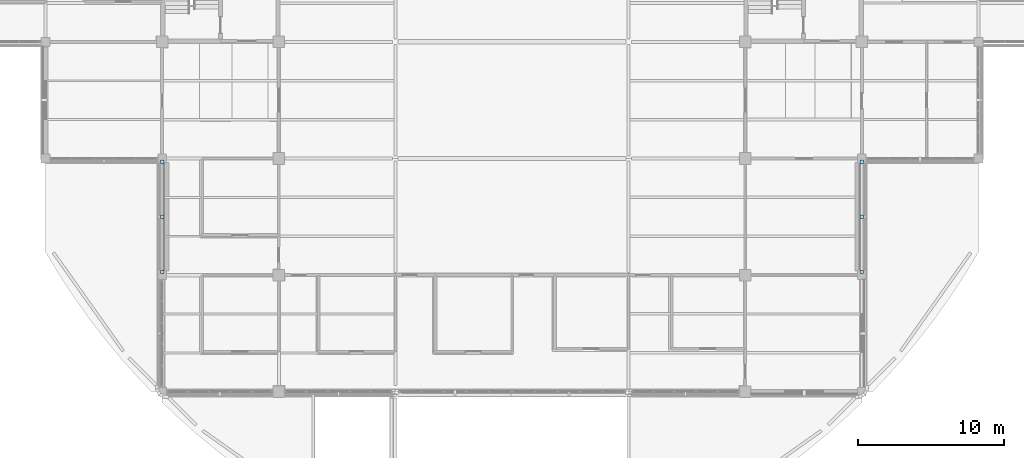
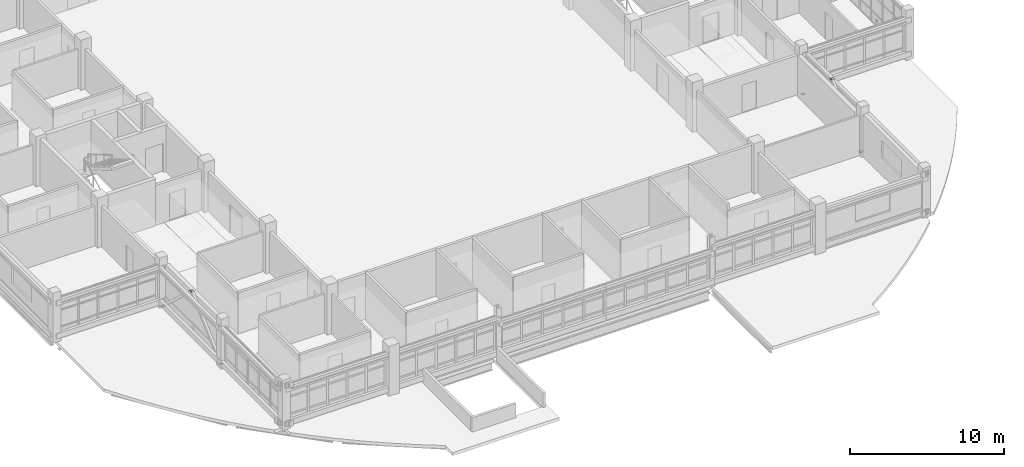
# One storey, part 84 of 126: 6 plates.
"""IFC4 building model written with IfcOpenShell, lengths in metres."""

from ifc_helpers import new_model, si_unit, derived_unit, direction, frame, origin, origin_2d, place, context, subcontext, project, spatial, rectangle, extrude, material, layer, layer_set, type_object, element, save


model = new_model("IFC4")

# Units and contexts
model_context = context("Model", 3, precision=1e-05, world=origin(), true_north=direction((0.0, 1.0)))
body_context = subcontext(model_context, "Body", "Model", "MODEL_VIEW")
ifc_project = project(units=[si_unit("LENGTHUNIT", "METRE"), si_unit("AREAUNIT", "SQUARE_METRE"), si_unit("VOLUMEUNIT", "CUBIC_METRE"), si_unit("PLANEANGLEUNIT", "RADIAN"), si_unit("MASSUNIT", "GRAM", prefix="KILO"), derived_unit("THERMALTRANSMITTANCEUNIT", [(si_unit("MASSUNIT", "GRAM", prefix="KILO"), 1), (si_unit("TIMEUNIT", "SECOND"), -3), (si_unit("THERMODYNAMICTEMPERATUREUNIT", "KELVIN"), -1)])], contexts=[model_context])

# Site, building, storey
site_placement = place(None, origin())
site = spatial("IfcSite", under=ifc_project, at=site_placement, CompositionType="ELEMENT")
building_placement = place(site_placement, origin())
building = spatial("IfcBuilding", under=site, at=building_placement, Name="Veyamyaing Civic Hall", CompositionType="ELEMENT")
storey_placement = place(building_placement, frame((0.0, 0.0, 9.89990234375)))
storey = spatial("IfcBuildingStorey", under=building, at=storey_placement, Name="L02", CompositionType="ELEMENT", Elevation=9.89990234375)

# Plates
ifc_material = material(Name="Steel S355J2", Category="steel")
ifc_layer = layer(ifc_material, 0.01611328125, Name="Steel S355J2")
ifc_layer_set = layer_set([ifc_layer], Name="Steel S355J2")
plate_type = type_object("IfcPlateType", Name="GP-04", PredefinedType="SHEET", material=ifc_layer_set)
for number, where, z_axis, x_axis, name in (
    (1, (64.0, 32.219970703125, 0.0419921875), (0.0, 0.0, 1.0), (1.0, 0.0, 0.0), "Brace base gusset plate GP-04 BF-CW L02.L"),
    (2, (64.0, 39.780029296875, 0.0419921875), (0.0, 0.0, 1.0), (1.0, 0.0, 0.0), "Brace base gusset plate GP-04 BF-CW L02.R"),
    (3, (64.0, 36.0, 3.501953125), (0.0, 0.0, 1.0), (1.0, 0.0, 0.0), "Brace apex gusset plate GP-04 BF-CW L02"),
    (4, (112.0, 32.219970703125, 0.0419921875), (0.0, 0.0, 1.0), (1.0, 0.0, 0.0), "Brace base gusset plate GP-04 BF-CE L02.L"),
    (5, (112.0, 39.780029296875, 0.0419921875), (0.0, 0.0, 1.0), (1.0, 0.0, 0.0), "Brace base gusset plate GP-04 BF-CE L02.R"),
    (6, (112.0, 36.0, 3.501953125), (0.0, 0.0, 1.0), (1.0, 0.0, 0.0), "Brace apex gusset plate GP-04 BF-CE L02"),
):
    element("IfcPlate", number, at=place(storey_placement, frame(where, z_axis=z_axis, x_axis=x_axis)), inside=storey, type_object=plate_type, Name=name, PredefinedType="SHEET", context=body_context, shape_type="SweptSolid", body=[
        extrude(rectangle(XDim=0.219970703125, YDim=0.219970703125, at=origin_2d()), origin(), (0.0, 0.0, 1.0), 0.01611328125),
    ])

save(model, "model.ifc")
